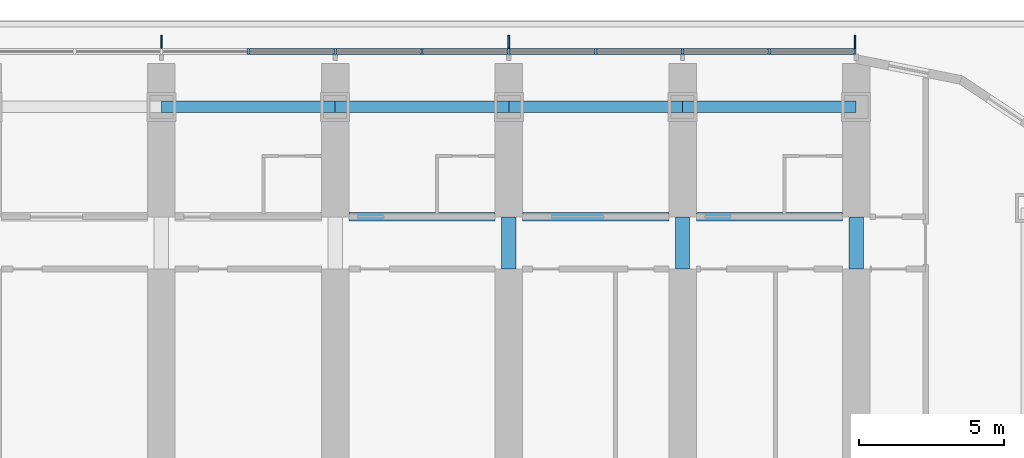
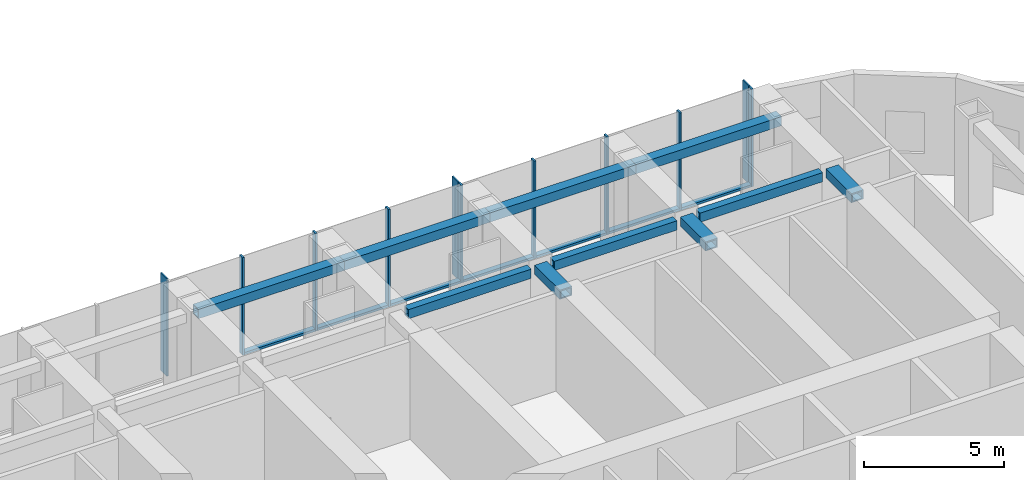
# One storey, part 5 of 31: 18 members, 10 beams, 1 element without a shape of its own.
"""IFC4 building model written with IfcOpenShell, lengths in metres."""

from ifc_helpers import new_model, si_unit, direction, frame, origin, origin_2d, place, context, subcontext, project, spatial, rectangle, hollow_rectangle, extrude, material, material_profile, profile_set, type_object, element, aggregate, save


model = new_model("IFC4")

# Units and contexts
model_context = context("Model", 3, precision=1e-05, world=origin(), true_north=direction((0.0, 1.0)))
body_context = subcontext(model_context, "Body", "Model", "MODEL_VIEW")
ifc_project = project(units=[si_unit("LENGTHUNIT", "METRE"), si_unit("AREAUNIT", "SQUARE_METRE"), si_unit("VOLUMEUNIT", "CUBIC_METRE"), si_unit("PLANEANGLEUNIT", "RADIAN"), si_unit("MASSUNIT", "GRAM", prefix="KILO")], contexts=[model_context])

# Site, building, storey
site_placement = place(None, origin())
site = spatial("IfcSite", under=ifc_project, at=site_placement, CompositionType="ELEMENT")
building_placement = place(site_placement, origin())
building = spatial("IfcBuilding", under=site, at=building_placement, Name="Orbita Commons", CompositionType="ELEMENT")
storey_placement = place(building_placement, frame((0.0, 0.0, 76.14990234375)))
storey = spatial("IfcBuildingStorey", under=building, at=storey_placement, Name="L18", CompositionType="ELEMENT", Elevation=76.14990234375)

# Curtain wall, members
ifc_material_1 = material(Name="Anodised aluminium frame, pale silver", Category="aluminium")
curtain_wall_type = type_object("IfcCurtainWallType", Name="Unitised curtain wall CW-S, full-height", PredefinedType="NOTDEFINED", material=ifc_material_1)
curtain_wall_placement = place(storey_placement, origin())
curtain_wall = element("IfcCurtainWall", 1, at=curtain_wall_placement, inside=storey, type_object=curtain_wall_type, Name="Curtain wall north L18", PredefinedType="NOTDEFINED")
ifc_material_2 = material(Name="Anodised aluminium, pale silver", Category="aluminium")
ifc_material_profile_1 = material_profile(ifc_material_2, rectangle(XDim=0.080078125, YDim=0.219970703125, at=origin_2d()), Name="AL 80x220")
ifc_profile_set_1 = profile_set([ifc_material_profile_1], Name="Anodised aluminium, pale silver")
member_type_1 = type_object("IfcMemberType", Name="Curtain wall mullion 80x220", PredefinedType="MULLION", material=ifc_profile_set_1)
member_1_placement = place(storey_placement, frame((65.9599609375, 55.510009765625, 0.0), z_axis=(0.0, 0.0, 1.0), x_axis=(-1.0, 0.0, 0.0)))
member_1 = element("IfcMember", 2, at=member_1_placement, type_object=member_type_1, Name="Mullion 1 CW-L18-N", PredefinedType="MULLION", context=body_context, shape_type="SweptSolid", body=[
    extrude(rectangle(XDim=0.080078125, YDim=0.219970703125, at=origin_2d()), origin(), (0.0, 0.0, 1.0), 4.25),
])
member_2_placement = place(storey_placement, frame((63.0, 55.510009765625, 0.0), z_axis=(0.0, 0.0, 1.0), x_axis=(-1.0, 0.0, 0.0)))
member_2 = element("IfcMember", 3, at=member_2_placement, type_object=member_type_1, Name="Mullion 2 CW-L18-N", PredefinedType="MULLION", context=body_context, shape_type="SweptSolid", body=[
    extrude(rectangle(XDim=0.080078125, YDim=0.219970703125, at=origin_2d()), origin(), (0.0, 0.0, 1.0), 4.25),
])
member_3_placement = place(storey_placement, frame((60.0, 55.510009765625, 0.0), z_axis=(0.0, 0.0, 1.0), x_axis=(-1.0, 0.0, 0.0)))
member_3 = element("IfcMember", 4, at=member_3_placement, type_object=member_type_1, Name="Mullion 3 CW-L18-N", PredefinedType="MULLION", context=body_context, shape_type="SweptSolid", body=[
    extrude(rectangle(XDim=0.080078125, YDim=0.219970703125, at=origin_2d()), origin(), (0.0, 0.0, 1.0), 4.25),
])
member_4_placement = place(storey_placement, frame((57.0, 55.510009765625, 0.0), z_axis=(0.0, 0.0, 1.0), x_axis=(-1.0, 0.0, 0.0)))
member_4 = element("IfcMember", 5, at=member_4_placement, type_object=member_type_1, Name="Mullion 4 CW-L18-N", PredefinedType="MULLION", context=body_context, shape_type="SweptSolid", body=[
    extrude(rectangle(XDim=0.080078125, YDim=0.219970703125, at=origin_2d()), origin(), (0.0, 0.0, 1.0), 4.25),
])
member_5_placement = place(storey_placement, frame((54.0, 55.510009765625, 0.0), z_axis=(0.0, 0.0, 1.0), x_axis=(-1.0, 0.0, 0.0)))
member_5 = element("IfcMember", 6, at=member_5_placement, type_object=member_type_1, Name="Mullion 5 CW-L18-N", PredefinedType="MULLION", context=body_context, shape_type="SweptSolid", body=[
    extrude(rectangle(XDim=0.080078125, YDim=0.219970703125, at=origin_2d()), origin(), (0.0, 0.0, 1.0), 4.25),
])
member_6_placement = place(storey_placement, frame((51.0, 55.510009765625, 0.0), z_axis=(0.0, 0.0, 1.0), x_axis=(-1.0, 0.0, 0.0)))
member_6 = element("IfcMember", 7, at=member_6_placement, type_object=member_type_1, Name="Mullion 6 CW-L18-N", PredefinedType="MULLION", context=body_context, shape_type="SweptSolid", body=[
    extrude(rectangle(XDim=0.080078125, YDim=0.219970703125, at=origin_2d()), origin(), (0.0, 0.0, 1.0), 4.25),
])
member_7_placement = place(storey_placement, frame((48.0, 55.510009765625, 0.0), z_axis=(0.0, 0.0, 1.0), x_axis=(-1.0, 0.0, 0.0)))
member_7 = element("IfcMember", 8, at=member_7_placement, type_object=member_type_1, Name="Mullion 7 CW-L18-N", PredefinedType="MULLION", context=body_context, shape_type="SweptSolid", body=[
    extrude(rectangle(XDim=0.080078125, YDim=0.219970703125, at=origin_2d()), origin(), (0.0, 0.0, 1.0), 4.25),
])
member_8_placement = place(storey_placement, frame((45.0, 55.510009765625, 0.0), z_axis=(0.0, 0.0, 1.0), x_axis=(-1.0, 0.0, 0.0)))
member_8 = element("IfcMember", 9, at=member_8_placement, type_object=member_type_1, Name="Mullion 8 CW-L18-N", PredefinedType="MULLION", context=body_context, shape_type="SweptSolid", body=[
    extrude(rectangle(XDim=0.080078125, YDim=0.219970703125, at=origin_2d()), origin(), (0.0, 0.0, 1.0), 4.25),
])
ifc_material_3 = material(Name="Anodised aluminium, pale silver", Category="aluminium")
ifc_material_profile_2 = material_profile(ifc_material_3, rectangle(XDim=0.219970703125, YDim=0.10009765625, at=origin_2d()), Name="AL 220x100")
ifc_profile_set_2 = profile_set([ifc_material_profile_2], Name="Anodised aluminium, pale silver")
member_type_2 = type_object("IfcMemberType", Name="Curtain wall stack transom 220x100", PredefinedType="USERDEFINED", material=ifc_profile_set_2)
member_9_placement = place(storey_placement, frame((65.919921875, 55.510009765625, 0.050048828125), z_axis=(-1.0, 0.0, 0.0), x_axis=(0.0, -1.0, 0.0)))
member_9 = element("IfcMember", 10, at=member_9_placement, type_object=member_type_2, Name="Transom 1.1 CW-L18-N", ObjectType="TRANSOM", PredefinedType="USERDEFINED", context=body_context, shape_type="SweptSolid", body=[
    extrude(rectangle(XDim=0.219970703125, YDim=0.10009765625, at=origin_2d()), origin(), (0.0, 0.0, 1.0), 2.8798828125),
])
member_10_placement = place(storey_placement, frame((62.9599609375, 55.510009765625, 0.050048828125), z_axis=(-1.0, 0.0, 0.0), x_axis=(0.0, -1.0, 0.0)))
member_10 = element("IfcMember", 11, at=member_10_placement, type_object=member_type_2, Name="Transom 2.1 CW-L18-N", ObjectType="TRANSOM", PredefinedType="USERDEFINED", context=body_context, shape_type="SweptSolid", body=[
    extrude(rectangle(XDim=0.219970703125, YDim=0.10009765625, at=origin_2d()), origin(), (0.0, 0.0, 1.0), 2.919921875),
])
member_11_placement = place(storey_placement, frame((59.9599609375, 55.510009765625, 0.050048828125), z_axis=(-1.0, 0.0, 0.0), x_axis=(0.0, -1.0, 0.0)))
member_11 = element("IfcMember", 12, at=member_11_placement, type_object=member_type_2, Name="Transom 3.1 CW-L18-N", ObjectType="TRANSOM", PredefinedType="USERDEFINED", context=body_context, shape_type="SweptSolid", body=[
    extrude(rectangle(XDim=0.219970703125, YDim=0.10009765625, at=origin_2d()), origin(), (0.0, 0.0, 1.0), 2.919921875),
])
member_12_placement = place(storey_placement, frame((56.9599609375, 55.510009765625, 0.050048828125), z_axis=(-1.0, 0.0, 0.0), x_axis=(0.0, -1.0, 0.0)))
member_12 = element("IfcMember", 13, at=member_12_placement, type_object=member_type_2, Name="Transom 4.1 CW-L18-N", ObjectType="TRANSOM", PredefinedType="USERDEFINED", context=body_context, shape_type="SweptSolid", body=[
    extrude(rectangle(XDim=0.219970703125, YDim=0.10009765625, at=origin_2d()), origin(), (0.0, 0.0, 1.0), 2.919921875),
])
member_13_placement = place(storey_placement, frame((53.9599609375, 55.510009765625, 0.050048828125), z_axis=(-1.0, 0.0, 0.0), x_axis=(0.0, -1.0, 0.0)))
member_13 = element("IfcMember", 14, at=member_13_placement, type_object=member_type_2, Name="Transom 5.1 CW-L18-N", ObjectType="TRANSOM", PredefinedType="USERDEFINED", context=body_context, shape_type="SweptSolid", body=[
    extrude(rectangle(XDim=0.219970703125, YDim=0.10009765625, at=origin_2d()), origin(), (0.0, 0.0, 1.0), 2.919921875),
])
member_14_placement = place(storey_placement, frame((50.9599609375, 55.510009765625, 0.050048828125), z_axis=(-1.0, 0.0, 0.0), x_axis=(0.0, -1.0, 0.0)))
member_14 = element("IfcMember", 15, at=member_14_placement, type_object=member_type_2, Name="Transom 6.1 CW-L18-N", ObjectType="TRANSOM", PredefinedType="USERDEFINED", context=body_context, shape_type="SweptSolid", body=[
    extrude(rectangle(XDim=0.219970703125, YDim=0.10009765625, at=origin_2d()), origin(), (0.0, 0.0, 1.0), 2.919921875),
])
member_15_placement = place(storey_placement, frame((47.9599609375, 55.510009765625, 0.050048828125), z_axis=(-1.0, 0.0, 0.0), x_axis=(0.0, -1.0, 0.0)))
member_15 = element("IfcMember", 16, at=member_15_placement, type_object=member_type_2, Name="Transom 7.1 CW-L18-N", ObjectType="TRANSOM", PredefinedType="USERDEFINED", context=body_context, shape_type="SweptSolid", body=[
    extrude(rectangle(XDim=0.219970703125, YDim=0.10009765625, at=origin_2d()), origin(), (0.0, 0.0, 1.0), 2.919921875),
])

# Beams
ifc_material_4 = material(Name="Steel ASTM A572 Gr 50 welded plate", Category="steel")
ifc_material_profile_3 = material_profile(ifc_material_4, hollow_rectangle(XDim=0.300048828125, YDim=0.39990234375, WallThickness=0.0400390625, at=origin_2d()), Name="BOX 400x300x40")
ifc_profile_set_3 = profile_set([ifc_material_profile_3], Name="Steel ASTM A572 Gr 50 welded plate")
beam_type_1 = type_object("IfcBeamType", Name="Steel corridor link BOX 400x300x40", PredefinedType="BEAM", material=ifc_profile_set_3)
for number, where, z_axis, x_axis, name in (
    (17, (48.47509765625, 49.800048828125, 4.050048828125), (1.0, 0.0, 0.0), (0.0, 1.0, 0.0), "Corridor beam NB 9-10 L18"),
    (18, (54.47509765625, 49.800048828125, 4.050048828125), (1.0, 0.0, 0.0), (0.0, 1.0, 0.0), "Corridor beam NB 10-11 L18"),
    (19, (60.47509765625, 49.800048828125, 4.050048828125), (1.0, 0.0, 0.0), (0.0, 1.0, 0.0), "Corridor beam NB 11-12 L18"),
):
    element("IfcBeam", number, at=place(storey_placement, frame(where, z_axis=z_axis, x_axis=x_axis)), inside=storey, type_object=beam_type_1, Name=name, PredefinedType="BEAM", context=body_context, shape_type="SweptSolid", body=[
        extrude(hollow_rectangle(XDim=0.300048828125, YDim=0.39990234375, WallThickness=0.0400390625, at=origin_2d()), origin(), (0.0, 0.0, 1.0), 5.0498046875),
    ])
ifc_material_5 = material(Name="Steel ASTM A572 Gr 50 welded plate", Category="steel")
ifc_material_profile_4 = material_profile(ifc_material_5, hollow_rectangle(XDim=0.5, YDim=0.39990234375, WallThickness=0.050048828125, at=origin_2d()), Name="BOX 400x500x50")
ifc_profile_set_4 = profile_set([ifc_material_profile_4], Name="Steel ASTM A572 Gr 50 welded plate")
beam_type_2 = type_object("IfcBeamType", Name="Steel coupling link BOX 400x500x50", PredefinedType="LINTEL", material=ifc_profile_set_4)
for number, where, z_axis, x_axis, name in (
    (20, (54.0, 48.0, 4.050048828125), (0.0, 1.0, 0.0), (-1.0, 0.0, 0.0), "Coupling beam 10 north L18"),
    (21, (60.0, 48.0, 4.050048828125), (0.0, 1.0, 0.0), (-1.0, 0.0, 0.0), "Coupling beam 11 north L18"),
    (22, (66.0, 48.0, 4.050048828125), (0.0, 1.0, 0.0), (-1.0, 0.0, 0.0), "Coupling beam 12 north L18"),
):
    element("IfcBeam", number, at=place(storey_placement, frame(where, z_axis=z_axis, x_axis=x_axis)), inside=storey, type_object=beam_type_2, Name=name, PredefinedType="LINTEL", context=body_context, shape_type="SweptSolid", body=[
        extrude(hollow_rectangle(XDim=0.5, YDim=0.39990234375, WallThickness=0.050048828125, at=origin_2d()), origin(), (0.0, 0.0, 1.0), 1.800048828125),
    ])
ifc_material_6 = material(Name="Steel ASTM A572 Gr 50 welded plate", Category="steel")
ifc_material_profile_5 = material_profile(ifc_material_6, hollow_rectangle(XDim=0.39990234375, YDim=0.39990234375, WallThickness=0.0400390625, at=origin_2d()), Name="BOX 400x400x40")
ifc_profile_set_5 = profile_set([ifc_material_profile_5], Name="Steel ASTM A572 Gr 50 welded plate")
beam_type_3 = type_object("IfcBeamType", Name="Steel spandrel BOX 400x400x40", PredefinedType="SPANDREL", material=ifc_profile_set_5)
for number, where, z_axis, x_axis, name in (
    (23, (42.0, 53.60009765625, 4.050048828125), (1.0, 0.0, 0.0), (0.0, 1.0, 0.0), "Spandrel beam E 8-9 L18"),
    (24, (48.0, 53.60009765625, 4.050048828125), (1.0, 0.0, 0.0), (0.0, 1.0, 0.0), "Spandrel beam E 9-10 L18"),
    (25, (54.0, 53.60009765625, 4.050048828125), (1.0, 0.0, 0.0), (0.0, 1.0, 0.0), "Spandrel beam E 10-11 L18"),
    (26, (60.0, 53.60009765625, 4.050048828125), (1.0, 0.0, 0.0), (0.0, 1.0, 0.0), "Spandrel beam E 11-12 L18"),
):
    element("IfcBeam", number, at=place(storey_placement, frame(where, z_axis=z_axis, x_axis=x_axis)), inside=storey, type_object=beam_type_3, Name=name, PredefinedType="SPANDREL", context=body_context, shape_type="SweptSolid", body=[
        extrude(hollow_rectangle(XDim=0.39990234375, YDim=0.39990234375, WallThickness=0.0400390625, at=origin_2d()), origin(), (0.0, 0.0, 1.0), 6.0),
    ])

# Member
ifc_material_7 = material(Name="Anodised aluminium, pale silver", Category="aluminium")
ifc_material_profile_6 = material_profile(ifc_material_7, rectangle(XDim=0.06005859375, YDim=0.449951171875, at=origin_2d()), Name="FIN 60x450")
ifc_profile_set_6 = profile_set([ifc_material_profile_6], Name="Anodised aluminium, pale silver")
member_type_3 = type_object("IfcMemberType", Name="Vertical fin 60x450 pale aluminium", PredefinedType="USERDEFINED", material=ifc_profile_set_6)
member_16_placement = place(storey_placement, frame((65.9599609375, 55.844970703125, 0.0), z_axis=(0.0, 0.0, 1.0), x_axis=(-1.0, 0.0, 0.0)))
member_16 = element("IfcMember", 27, at=member_16_placement, type_object=member_type_3, Name="Fin 1 CW-L18-N", ObjectType="FIN", PredefinedType="USERDEFINED", context=body_context, shape_type="SweptSolid", body=[
    extrude(rectangle(XDim=0.06005859375, YDim=0.449951171875, at=origin_2d()), origin(), (0.0, 0.0, 1.0), 4.25),
])

member_17_placement = place(storey_placement, frame((54.0, 55.844970703125, 0.0), z_axis=(0.0, 0.0, 1.0), x_axis=(-1.0, 0.0, 0.0)))
member_17 = element("IfcMember", 28, at=member_17_placement, type_object=member_type_3, Name="Fin 5 CW-L18-N", ObjectType="FIN", PredefinedType="USERDEFINED", context=body_context, shape_type="SweptSolid", body=[
    extrude(rectangle(XDim=0.06005859375, YDim=0.449951171875, at=origin_2d()), origin(), (0.0, 0.0, 1.0), 4.25),
])

member_18_placement = place(storey_placement, frame((42.0, 55.844970703125, 0.0), z_axis=(0.0, 0.0, 1.0), x_axis=(-1.0, 0.0, 0.0)))
member_18 = element("IfcMember", 29, at=member_18_placement, type_object=member_type_3, Name="Fin 9 CW-L18-N", ObjectType="FIN", PredefinedType="USERDEFINED", context=body_context, shape_type="SweptSolid", body=[
    extrude(rectangle(XDim=0.06005859375, YDim=0.449951171875, at=origin_2d()), origin(), (0.0, 0.0, 1.0), 4.25),
])

aggregate(curtain_wall, [member_1, member_16, member_2, member_3, member_4, member_5, member_17, member_6, member_7, member_8, member_18, member_9, member_10, member_11, member_12, member_13, member_14, member_15])

save(model, "model.ifc")
